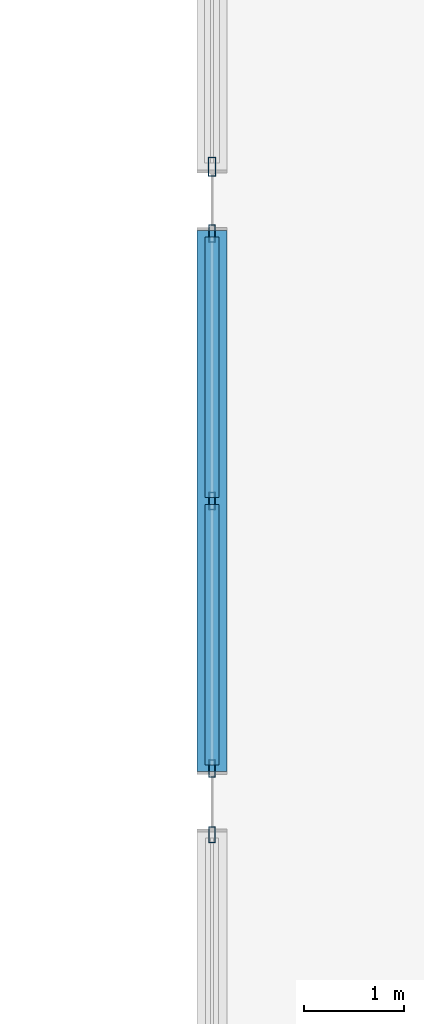
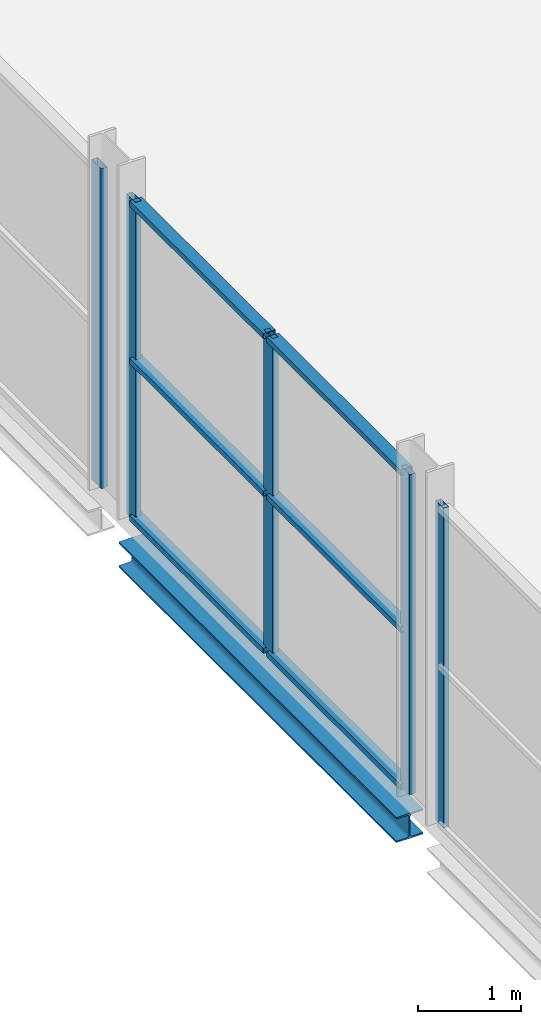
# One storey, part 25 of 140: 11 members, 1 beam, 3 elements without a shape of their own.
"""IFC4 building model written with IfcOpenShell, lengths in metres."""

from ifc_helpers import new_model, si_unit, direction, frame, origin, origin_2d, place, context, subcontext, project, spatial, hollow_rectangle, i_section, extrude, material, layer, layer_set, material_profile, profile_set, type_object, element, aggregate, save


model = new_model("IFC4")

# Units and contexts
model_context = context("Model", 3, precision=1e-05, world=origin(), true_north=direction((0.0, 1.0)))
body_context = subcontext(model_context, "Body", "Model", "MODEL_VIEW")
ifc_project = project(units=[si_unit("LENGTHUNIT", "METRE"), si_unit("AREAUNIT", "SQUARE_METRE"), si_unit("VOLUMEUNIT", "CUBIC_METRE"), si_unit("PLANEANGLEUNIT", "RADIAN"), si_unit("MASSUNIT", "GRAM", prefix="KILO")], contexts=[model_context])

# Site, building, storey
site_placement = place(None, origin())
site = spatial("IfcSite", under=ifc_project, at=site_placement, CompositionType="ELEMENT")
building_placement = place(site_placement, origin())
building = spatial("IfcBuilding", under=site, at=building_placement, Name="Deido Ridge Mobility Hub", CompositionType="ELEMENT")
storey_placement = place(building_placement, origin())
storey = spatial("IfcBuildingStorey", under=building, at=storey_placement, Name="L00", CompositionType="ELEMENT", Elevation=0.0)

# Curtain wall, member
ifc_material_1 = material(Name="Anodised aluminium EN AW-6063 T6", Category="aluminium")
ifc_layer_1 = layer(ifc_material_1, 0.2099609375, Name="Anodised aluminium EN AW-6063 T6")
ifc_layer_set_1 = layer_set([ifc_layer_1], Name="Anodised aluminium EN AW-6063 T6")
curtain_wall_type_1 = type_object("IfcCurtainWallType", Name="CW-UF-4", PredefinedType="USERDEFINED", material=ifc_layer_set_1)
curtain_wall_1_placement = place(storey_placement, origin())
curtain_wall_1 = element("IfcCurtainWall", 1, at=curtain_wall_1_placement, inside=storey, type_object=curtain_wall_type_1, Name="Unitised curtain wall CW4", ObjectType="UNITISED FACADE", PredefinedType="USERDEFINED")
ifc_material_profile_1 = material_profile(ifc_material_1, hollow_rectangle(XDim=0.06005859375, YDim=0.159912109375, WallThickness=0.00390625, at=origin_2d()), Name="RHS 60x160x4")
ifc_profile_set_1 = profile_set([ifc_material_profile_1], Name="Anodised aluminium EN AW-6063 T6")
member_type_1 = type_object("IfcMemberType", Name="MEM-MUL-60X160", PredefinedType="MULLION", material=ifc_profile_set_1)
member_1_placement = place(storey_placement, frame((0.0, 5.669921875, 0.0), z_axis=(0.0, 0.0, 1.0), x_axis=(-1.0, 0.0, 0.0)))
member_1 = element("IfcMember", 2, at=member_1_placement, type_object=member_type_1, Name="CW4 mullion 3", PredefinedType="MULLION", context=body_context, shape_type="SweptSolid", body=[
    extrude(hollow_rectangle(XDim=0.06005859375, YDim=0.159912109375, WallThickness=0.00390625, at=origin_2d()), origin(), (0.0, 0.0, 1.0), 3.800048828125),
])
aggregate(curtain_wall_1, [member_1])

# Curtain wall, members
ifc_layer_2 = layer(ifc_material_1, 0.22509765625, Name="Anodised aluminium EN AW-6063 T6")
ifc_layer_set_2 = layer_set([ifc_layer_2], Name="Anodised aluminium EN AW-6063 T6")
curtain_wall_type_2 = type_object("IfcCurtainWallType", Name="CW-UF-5", PredefinedType="USERDEFINED", material=ifc_layer_set_2)
curtain_wall_2_placement = place(storey_placement, origin())
curtain_wall_2 = element("IfcCurtainWall", 3, at=curtain_wall_2_placement, inside=storey, type_object=curtain_wall_type_2, Name="Unitised curtain wall CW5", ObjectType="UNITISED FACADE", PredefinedType="USERDEFINED")
ifc_material_profile_2 = material_profile(ifc_material_1, hollow_rectangle(XDim=0.06494140625, YDim=0.175048828125, WallThickness=0.00390625, at=origin_2d()), Name="RHS 65x175x4")
ifc_profile_set_2 = profile_set([ifc_material_profile_2], Name="Anodised aluminium EN AW-6063 T6")
member_type_2 = type_object("IfcMemberType", Name="MEM-MUL-65X175", PredefinedType="MULLION", material=ifc_profile_set_2)
member_2_placement = place(storey_placement, frame((0.0, 6.33251953125, 0.0), z_axis=(0.0, 0.0, 1.0), x_axis=(-1.0, 0.0, 0.0)))
member_2 = element("IfcMember", 4, at=member_2_placement, type_object=member_type_2, Name="CW5 mullion 1", PredefinedType="MULLION", context=body_context, shape_type="SweptSolid", body=[
    extrude(hollow_rectangle(XDim=0.06494140625, YDim=0.175048828125, WallThickness=0.00390625, at=origin_2d()), origin(), (0.0, 0.0, 1.0), 3.800048828125),
])
member_3_placement = place(storey_placement, frame((0.0, 9.0, 0.0), z_axis=(0.0, 0.0, 1.0), x_axis=(-1.0, 0.0, 0.0)))
member_3 = element("IfcMember", 5, at=member_3_placement, type_object=member_type_2, Name="CW5 mullion 2", PredefinedType="MULLION", context=body_context, shape_type="SweptSolid", body=[
    extrude(hollow_rectangle(XDim=0.06494140625, YDim=0.175048828125, WallThickness=0.00390625, at=origin_2d()), origin(), (0.0, 0.0, 1.0), 3.800048828125),
])
member_4_placement = place(storey_placement, frame((0.0, 11.66748046875, 0.0), z_axis=(0.0, 0.0, 1.0), x_axis=(-1.0, 0.0, 0.0)))
member_4 = element("IfcMember", 6, at=member_4_placement, type_object=member_type_2, Name="CW5 mullion 3", PredefinedType="MULLION", context=body_context, shape_type="SweptSolid", body=[
    extrude(hollow_rectangle(XDim=0.06494140625, YDim=0.175048828125, WallThickness=0.00390625, at=origin_2d()), origin(), (0.0, 0.0, 1.0), 3.800048828125),
])

# Curtain wall, member
ifc_layer_3 = layer(ifc_material_1, 0.239990234375, Name="Anodised aluminium EN AW-6063 T6")
ifc_layer_set_3 = layer_set([ifc_layer_3], Name="Anodised aluminium EN AW-6063 T6")
curtain_wall_type_3 = type_object("IfcCurtainWallType", Name="CW-UF-6", PredefinedType="USERDEFINED", material=ifc_layer_set_3)
curtain_wall_3_placement = place(storey_placement, origin())
curtain_wall_3 = element("IfcCurtainWall", 7, at=curtain_wall_3_placement, inside=storey, type_object=curtain_wall_type_3, Name="Unitised curtain wall CW6", ObjectType="UNITISED FACADE", PredefinedType="USERDEFINED")
ifc_material_profile_3 = material_profile(ifc_material_1, hollow_rectangle(XDim=0.070068359375, YDim=0.18994140625, WallThickness=0.00390625, at=origin_2d()), Name="RHS 70x190x4")
ifc_profile_set_3 = profile_set([ifc_material_profile_3], Name="Anodised aluminium EN AW-6063 T6")
member_type_3 = type_object("IfcMemberType", Name="MEM-MUL-70X190", PredefinedType="MULLION", material=ifc_profile_set_3)
member_5_placement = place(storey_placement, frame((0.0, 12.3349609375, 0.0), z_axis=(0.0, 0.0, 1.0), x_axis=(-1.0, 0.0, 0.0)))
member_5 = element("IfcMember", 8, at=member_5_placement, type_object=member_type_3, Name="CW6 mullion 1", PredefinedType="MULLION", context=body_context, shape_type="SweptSolid", body=[
    extrude(hollow_rectangle(XDim=0.070068359375, YDim=0.18994140625, WallThickness=0.00390625, at=origin_2d()), origin(), (0.0, 0.0, 1.0), 3.800048828125),
])
aggregate(curtain_wall_3, [member_5])

# Member
ifc_material_profile_4 = material_profile(ifc_material_1, hollow_rectangle(XDim=0.135009765625, YDim=0.06494140625, WallThickness=0.00390625, at=origin_2d()), Name="RHS 135x65x4")
ifc_profile_set_4 = profile_set([ifc_material_profile_4], Name="Anodised aluminium EN AW-6063 T6")
member_type_4 = type_object("IfcMemberType", Name="MEM-TRN-135X65", PredefinedType="USERDEFINED", material=ifc_profile_set_4)
member_6_placement = place(storey_placement, frame((0.0, 6.364990234375, 0.032470703125), z_axis=(0.0, 1.0, 0.0), x_axis=(-1.0, 0.0, 0.0)))
member_6 = element("IfcMember", 9, at=member_6_placement, type_object=member_type_4, Name="CW5 transom 1.1", ObjectType="TRANSOM", PredefinedType="USERDEFINED", context=body_context, shape_type="SweptSolid", body=[
    extrude(hollow_rectangle(XDim=0.135009765625, YDim=0.06494140625, WallThickness=0.00390625, at=origin_2d()), origin(), (0.0, 0.0, 1.0), 2.6025390625),
])

member_7_placement = place(storey_placement, frame((0.0, 6.364990234375, 1.89990234375), z_axis=(0.0, 1.0, 0.0), x_axis=(-1.0, 0.0, 0.0)))
member_7 = element("IfcMember", 10, at=member_7_placement, type_object=member_type_4, Name="CW5 transom 1.2", ObjectType="TRANSOM", PredefinedType="USERDEFINED", context=body_context, shape_type="SweptSolid", body=[
    extrude(hollow_rectangle(XDim=0.135009765625, YDim=0.06494140625, WallThickness=0.00390625, at=origin_2d()), origin(), (0.0, 0.0, 1.0), 2.6025390625),
])

member_8_placement = place(storey_placement, frame((0.0, 6.364990234375, 3.767578125), z_axis=(0.0, 1.0, 0.0), x_axis=(-1.0, 0.0, 0.0)))
member_8 = element("IfcMember", 11, at=member_8_placement, type_object=member_type_4, Name="CW5 transom 1.3", ObjectType="TRANSOM", PredefinedType="USERDEFINED", context=body_context, shape_type="SweptSolid", body=[
    extrude(hollow_rectangle(XDim=0.135009765625, YDim=0.06494140625, WallThickness=0.00390625, at=origin_2d()), origin(), (0.0, 0.0, 1.0), 2.6025390625),
])

member_9_placement = place(storey_placement, frame((0.0, 9.032470703125, 0.032470703125), z_axis=(0.0, 1.0, 0.0), x_axis=(-1.0, 0.0, 0.0)))
member_9 = element("IfcMember", 12, at=member_9_placement, type_object=member_type_4, Name="CW5 transom 2.1", ObjectType="TRANSOM", PredefinedType="USERDEFINED", context=body_context, shape_type="SweptSolid", body=[
    extrude(hollow_rectangle(XDim=0.135009765625, YDim=0.06494140625, WallThickness=0.00390625, at=origin_2d()), origin(), (0.0, 0.0, 1.0), 2.6025390625),
])

member_10_placement = place(storey_placement, frame((0.0, 9.032470703125, 1.89990234375), z_axis=(0.0, 1.0, 0.0), x_axis=(-1.0, 0.0, 0.0)))
member_10 = element("IfcMember", 13, at=member_10_placement, type_object=member_type_4, Name="CW5 transom 2.2", ObjectType="TRANSOM", PredefinedType="USERDEFINED", context=body_context, shape_type="SweptSolid", body=[
    extrude(hollow_rectangle(XDim=0.135009765625, YDim=0.06494140625, WallThickness=0.00390625, at=origin_2d()), origin(), (0.0, 0.0, 1.0), 2.6025390625),
])

member_11_placement = place(storey_placement, frame((0.0, 9.032470703125, 3.767578125), z_axis=(0.0, 1.0, 0.0), x_axis=(-1.0, 0.0, 0.0)))
member_11 = element("IfcMember", 14, at=member_11_placement, type_object=member_type_4, Name="CW5 transom 2.3", ObjectType="TRANSOM", PredefinedType="USERDEFINED", context=body_context, shape_type="SweptSolid", body=[
    extrude(hollow_rectangle(XDim=0.135009765625, YDim=0.06494140625, WallThickness=0.00390625, at=origin_2d()), origin(), (0.0, 0.0, 1.0), 2.6025390625),
])

aggregate(curtain_wall_2, [member_2, member_3, member_4, member_6, member_7, member_8, member_9, member_10, member_11])

# Beam
ifc_material_2 = material(Name="Steel S355J2 EN 10025-2", Category="steel")
ifc_material_profile_5 = material_profile(ifc_material_2, i_section(OverallWidth=0.300048828125, OverallDepth=0.300048828125, WebThickness=0.010986328125, FlangeThickness=0.01904296875, FilletRadius=0.027099609375, at=origin_2d()), Name="HEB 300")
ifc_profile_set_5 = profile_set([ifc_material_profile_5], Name="Steel S355J2 EN 10025-2")
beam_type = type_object("IfcBeamType", Name="SPD-HEB300", PredefinedType="SPANDREL", material=ifc_profile_set_5)
beam_placement = place(storey_placement, frame((0.0, 6.300048828125, -0.409912109375), z_axis=(0.0, 1.0, 0.0), x_axis=(-1.0, 0.0, 0.0)))
element("IfcBeam", 15, at=beam_placement, inside=storey, type_object=beam_type, Name="Floor beam SP1", PredefinedType="SPANDREL", context=body_context, shape_type="SweptSolid", body=[
    extrude(i_section(OverallWidth=0.300048828125, OverallDepth=0.300048828125, WebThickness=0.010986328125, FlangeThickness=0.01904296875, FilletRadius=0.027099609375, at=origin_2d()), origin(), (0.0, 0.0, 1.0), 5.39990234375),
])

save(model, "model.ifc")
